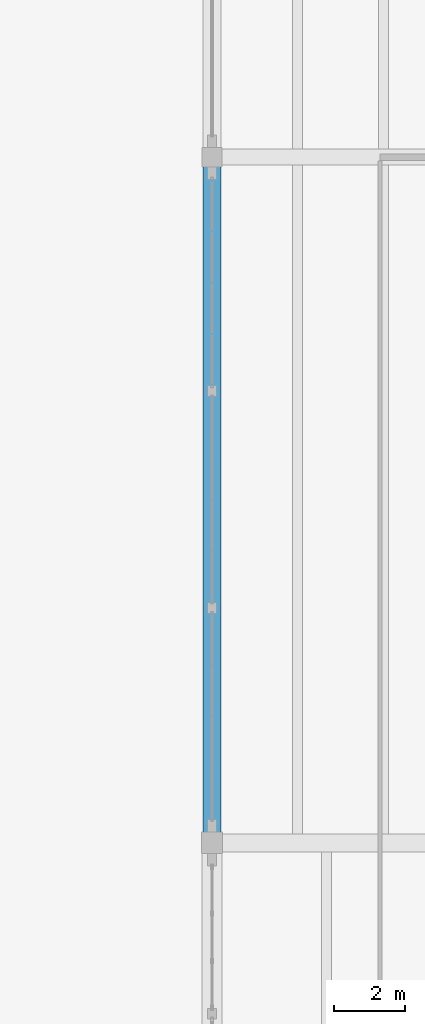
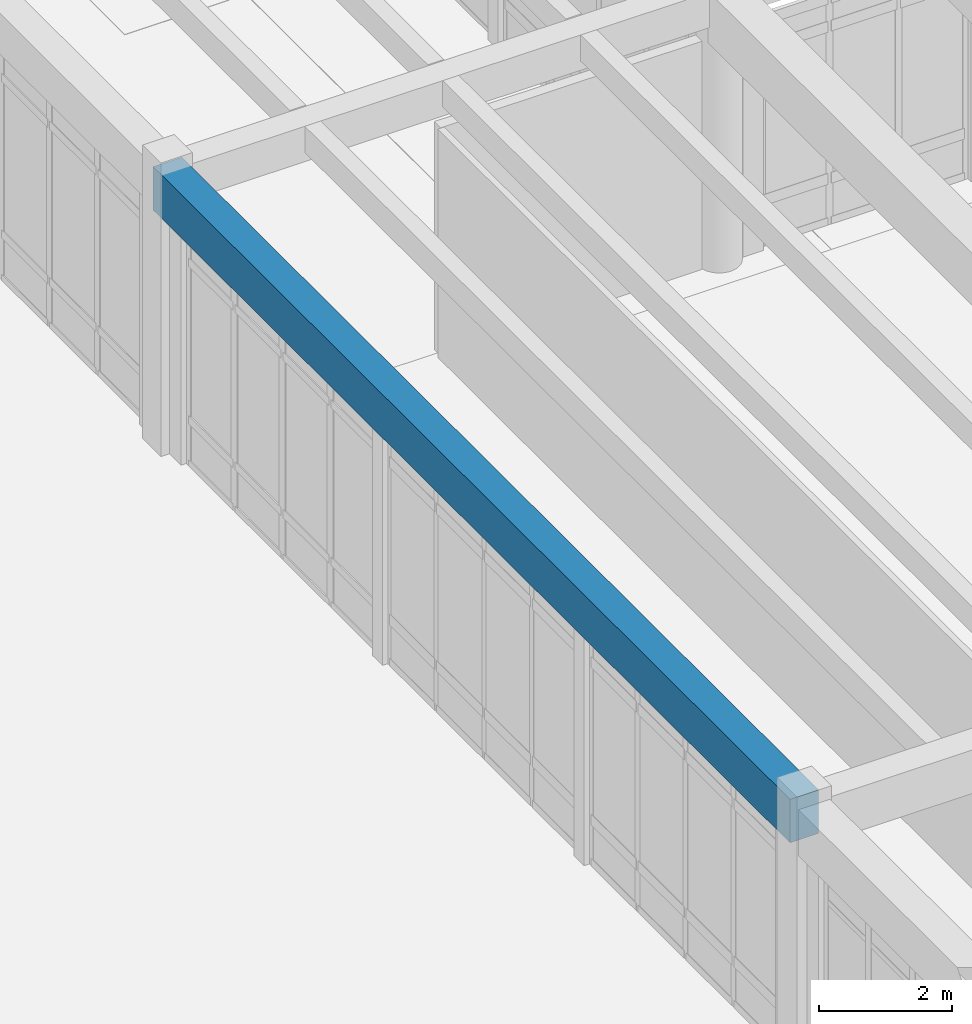
# One storey, part 37 of 138: 1 beam.
"""IFC4 building model written with IfcOpenShell, lengths in metres."""

import ifcopenshell
import ifcopenshell.guid

model = None  # the IFC model being written
_history = None  # IfcOwnerHistory: only IFC2X3 demands one
_inside = {}  # id of a spatial element -> (the spatial element, [elements in it])
_under = {}  # id of a project, library or spatial element -> (it, [spatial elements below it])
_declared = {}  # id of a project -> (the project, [libraries it declares])
_typed = {}  # id of a type object -> (the type object, [elements of that type])
_made_of = {}  # id of a material, layer set ... -> (it, [elements and type objects made of it])


def new_model(schema):
    """Start an empty IFC model of exactly this schema.

    Asked for "IFC4X3", IfcOpenShell would pick the latest addendum, in which some entities
    have other attributes; the version numbers below select the first issue.
    IFC2X3 requires an IfcOwnerHistory on every rooted entity: one is made here for all.
    """
    global model, _history
    if schema == "IFC4X3":
        model = ifcopenshell.file(schema_version=(4, 3, 0, 0))
    else:
        model = ifcopenshell.file(schema=schema)
    _inside.clear()
    _under.clear()
    _declared.clear()
    _typed.clear()
    _made_of.clear()
    _history = None
    if model.schema == "IFC2X3":
        org = make("IfcOrganization", Name="unknown")
        user = make(
            "IfcPersonAndOrganization",
            ThePerson=make("IfcPerson", FamilyName="unknown"),
            TheOrganization=org,
        )
        app = make(
            "IfcApplication",
            ApplicationDeveloper=org,
            Version="unknown",
            ApplicationFullName="unknown",
            ApplicationIdentifier="unknown",
        )
        _history = make(
            "IfcOwnerHistory",
            OwningUser=user,
            OwningApplication=app,
            ChangeAction="ADDED",
            CreationDate=0,
        )
    return model


def make(cls, **values):
    """One entity of the class cls with the attributes given. An attribute that is None is left unset."""
    return model.create_entity(
        cls, **{name: value for name, value in values.items() if value is not None}
    )


def rooted(cls, **values):
    """An entity with a GlobalId (a new one), such as an element, a storey or a relation."""
    return make(cls, GlobalId=ifcopenshell.guid.new(), OwnerHistory=_history, **values)


def si_unit(unit_type, name, prefix=None):
    """IfcSIUnit, for example si_unit("LENGTHUNIT", "METRE", prefix="MILLI")."""
    return make("IfcSIUnit", UnitType=unit_type, Prefix=prefix, Name=name)


def assignment(units):
    """IfcUnitAssignment: the units of a project."""
    return None if units is None else make("IfcUnitAssignment", Units=units)


def point(xyz):
    """IfcCartesianPoint."""
    return None if xyz is None else make("IfcCartesianPoint", Coordinates=xyz)


def direction(xyz):
    """IfcDirection."""
    return None if xyz is None else make("IfcDirection", DirectionRatios=xyz)


def frame(location, z_axis=None, x_axis=None):
    """IfcAxis2Placement3D, a coordinate frame: its origin and axes. An axis left out is left unset."""
    return make(
        "IfcAxis2Placement3D",
        Location=point(location),
        Axis=direction(z_axis),
        RefDirection=direction(x_axis),
    )


def frame_2d(location, x_axis=None):
    """IfcAxis2Placement2D, a coordinate frame in the plane: its origin and x axis."""
    return make(
        "IfcAxis2Placement2D", Location=point(location), RefDirection=direction(x_axis)
    )


def origin():
    """The frame at (0, 0, 0) with its axes left unset."""
    return frame((0.0, 0.0, 0.0))


def origin_2d():
    """The frame at (0, 0) in the plane with its x axis left unset."""
    return frame_2d((0.0, 0.0))


def place(relative_to, where):
    """IfcLocalPlacement: puts the frame where relative to a parent placement (None: the world)."""
    return make(
        "IfcLocalPlacement", PlacementRelTo=relative_to, RelativePlacement=where
    )


def context(
    kind, dimensions, precision=None, world=None, true_north=None, identifier=None
):
    """IfcGeometricRepresentationContext, for example the 3D "Model" context."""
    return make(
        "IfcGeometricRepresentationContext",
        ContextIdentifier=identifier,
        ContextType=kind,
        CoordinateSpaceDimension=dimensions,
        Precision=precision,
        WorldCoordinateSystem=world,
        TrueNorth=true_north,
    )


def subcontext(parent, identifier, kind, view, scale=None):
    """IfcGeometricRepresentationSubContext, for example "Body" below "Model"."""
    return make(
        "IfcGeometricRepresentationSubContext",
        ContextIdentifier=identifier,
        ContextType=kind,
        ParentContext=parent,
        TargetScale=scale,
        TargetView=view,
    )


def project(units=None, contexts=None):
    """IfcProject with its units and contexts."""
    return rooted(
        "IfcProject",
        Name="project",
        RepresentationContexts=contexts,
        UnitsInContext=assignment(units),
    )


def spatial(cls, under=None, at=None, **own):
    """A site, building, storey or space (cls), placed at a placement, below another one or the project."""
    s = rooted(cls, ObjectPlacement=at, **own)
    if under is not None:
        _under.setdefault(under.id(), (under, []))[1].append(s)
    return s


def profile(cls, at=None, kind="AREA", **sizes):
    """A parametric profile (cls). Its sizes go by their IFC names, for example OverallWidth=200.0."""
    return make(cls, ProfileType=kind, Position=at, **sizes)


def rectangle(**sizes):
    """IfcRectangleProfileDef."""
    return profile("IfcRectangleProfileDef", **sizes)


def extrude(swept, where, along, depth):
    """IfcExtrudedAreaSolid: the profile swept, set in the frame where, extruded along a direction by depth."""
    return make(
        "IfcExtrudedAreaSolid",
        SweptArea=swept,
        Position=where,
        ExtrudedDirection=direction(along),
        Depth=depth,
    )


def shape(context_of_items, identifier, shape_type, items):
    """IfcShapeRepresentation: the items that make up one representation, for example the "Body"."""
    return make(
        "IfcShapeRepresentation",
        ContextOfItems=context_of_items,
        RepresentationIdentifier=identifier,
        RepresentationType=shape_type,
        Items=items,
    )


def material(Name=None, Category=None):
    """IfcMaterial."""
    return make("IfcMaterial", Name=Name, Category=Category)


def material_profile(
    of_material, cross_section, Name=None, Category=None, Priority=None
):
    """IfcMaterialProfile: a cross section and its material."""
    return make(
        "IfcMaterialProfile",
        Name=Name,
        Material=of_material,
        Profile=cross_section,
        Priority=Priority,
        Category=Category,
    )


def profile_set(profiles, Name=None, composite=None):
    """IfcMaterialProfileSet."""
    return make(
        "IfcMaterialProfileSet",
        Name=Name,
        MaterialProfiles=profiles,
        CompositeProfile=composite,
    )


def made_of(thing, what):
    """Note that an element or type object is made of a material, layer set ...; save() writes the relation."""
    if what is not None:
        _made_of.setdefault(what.id(), (what, []))[1].append(thing)
    return thing


def type_object(cls, material=None, **own):
    """A type object (cls), such as IfcWallType, which elements share."""
    return made_of(rooted(cls, **own), material)


def element(
    cls,
    number,
    at=None,
    inside=None,
    cuts=None,
    type_object=None,
    material=None,
    context=None,
    identifier="Body",
    shape_type=None,
    held_by="IfcProductDefinitionShape",
    body=None,
    shapes=None,
    **own,
):
    """One element of the class cls, such as IfcWall. Its Tag is "e" and its number.

    at: its placement. inside: the storey or other place that contains it. cuts: it is an
    opening in that element (IfcRelVoidsElement). A single representation is given by context,
    identifier, shape_type and body (its items); several are given by shapes. held_by: the class
    of the entity that holds the representations. save() writes the other relations.
    """
    e = rooted(cls, Tag="e%d" % number, ObjectPlacement=at, **own)
    if body is not None:
        shapes = [shape(context, identifier, shape_type, body)]
    if shapes is not None:
        e.Representation = make(held_by, Representations=shapes)
    if inside is not None:
        _inside.setdefault(inside.id(), (inside, []))[1].append(e)
    if cuts is not None:
        rooted(
            "IfcRelVoidsElement", RelatingBuildingElement=cuts, RelatedOpeningElement=e
        )
    if type_object is not None:
        _typed.setdefault(type_object.id(), (type_object, []))[1].append(e)
    return made_of(e, material)


def aggregate(whole, parts):
    """IfcRelAggregates: a whole, such as a stair, and the parts it consists of."""
    return rooted("IfcRelAggregates", RelatingObject=whole, RelatedObjects=parts)


def save(model, path):
    """Write the relations noted so far, then the file.

    IfcRelAggregates (storeys below a building ...), IfcRelContainedInSpatialStructure (elements
    in a storey), IfcRelDefinesByType, IfcRelAssociatesMaterial and IfcRelDeclares: one each for
    every whole, place, type object, material and project.
    """
    for whole, parts in _under.values():
        aggregate(whole, parts)
    for where, things in _inside.values():
        rooted(
            "IfcRelContainedInSpatialStructure",
            RelatedElements=things,
            RelatingStructure=where,
        )
    for kind, things in _typed.values():
        rooted("IfcRelDefinesByType", RelatedObjects=things, RelatingType=kind)
    for what, things in _made_of.values():
        rooted("IfcRelAssociatesMaterial", RelatedObjects=things, RelatingMaterial=what)
    for by, libraries in _declared.values():
        rooted("IfcRelDeclares", RelatingContext=by, RelatedDefinitions=libraries)
    model.write(path)


model = new_model("IFC4")

# Units and contexts
model_context = context("Model", 3, precision=1e-05, world=origin(), true_north=direction((0.0, 1.0)))
body_context = subcontext(model_context, "Body", "Model", "MODEL_VIEW")
ifc_project = project(units=[si_unit("LENGTHUNIT", "METRE"), si_unit("AREAUNIT", "SQUARE_METRE"), si_unit("VOLUMEUNIT", "CUBIC_METRE"), si_unit("PLANEANGLEUNIT", "RADIAN"), si_unit("MASSUNIT", "GRAM", prefix="KILO")], contexts=[model_context])

# Site, building, storey
site_placement = place(None, origin())
site = spatial("IfcSite", under=ifc_project, at=site_placement, CompositionType="ELEMENT")
building_placement = place(site_placement, origin())
building = spatial("IfcBuilding", under=site, at=building_placement, Name="Fikremerkos Civic Library", CompositionType="ELEMENT")
storey_placement = place(building_placement, origin())
storey = spatial("IfcBuildingStorey", under=building, at=storey_placement, Name="L00", CompositionType="ELEMENT", Elevation=0.0)

# Beam
ifc_material = material(Name="Concrete C40/50", Category="concrete")
ifc_material_profile = material_profile(ifc_material, rectangle(XDim=0.5, YDim=0.800048828125, at=origin_2d()), Name="RC 500x800")
ifc_profile_set = profile_set([ifc_material_profile], Name="Concrete C40/50")
beam_type = type_object("IfcBeamType", Name="Primary girder BM-04 RC 500x800", PredefinedType="BEAM", material=ifc_profile_set)
beam_placement = place(storey_placement, frame((124.800048828125, 57.60009765625, 4.760009765625), z_axis=(0.0, 1.0, 0.0), x_axis=(-1.0, 0.0, 0.0)))
element("IfcBeam", 1, at=beam_placement, inside=storey, type_object=beam_type, Name="Primary girder BM-04 L00 grid 11", PredefinedType="BEAM", context=body_context, shape_type="SweptSolid", body=[
    extrude(rectangle(XDim=0.5, YDim=0.800048828125, at=origin_2d()), origin(), (0.0, 0.0, 1.0), 19.199951171875),
])

save(model, "model.ifc")
